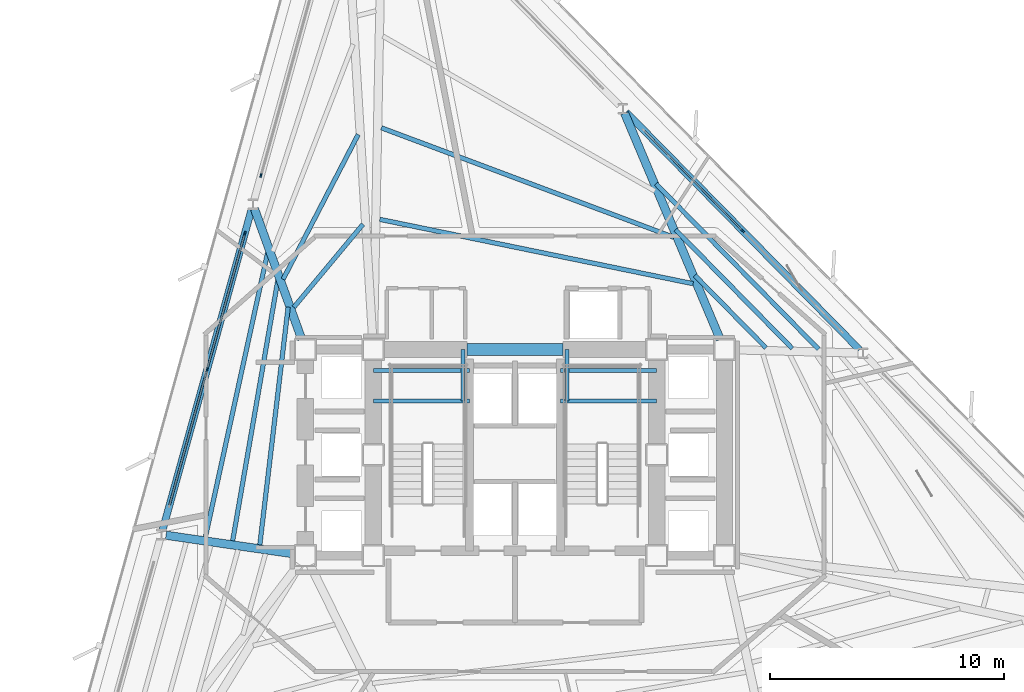
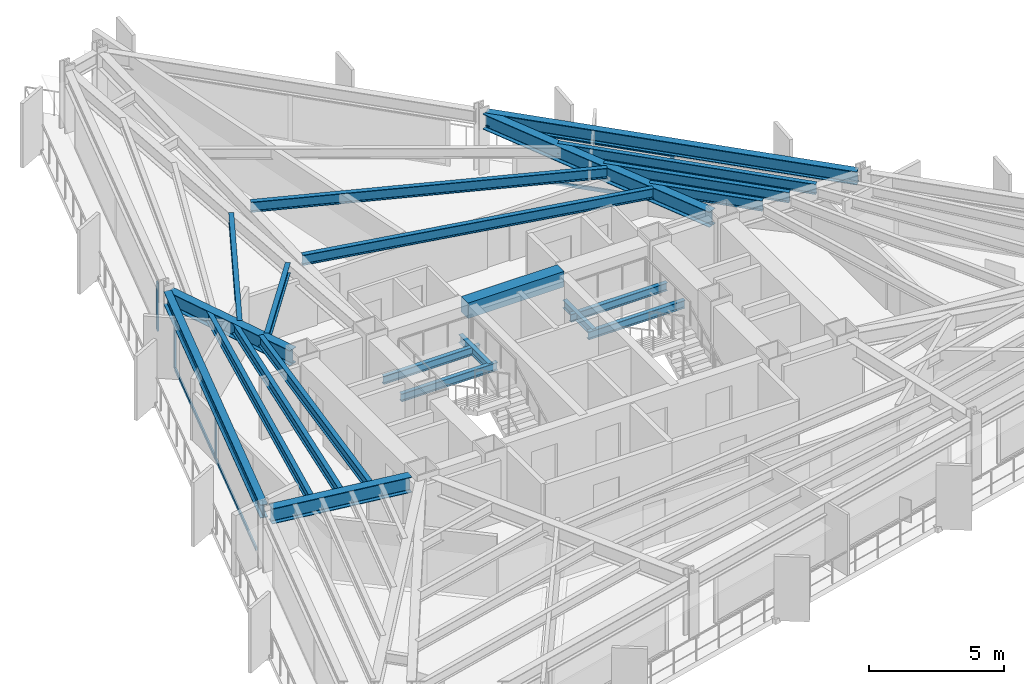
# One storey, part 3 of 11: 22 beams, 10 members, 3 elements without a shape of their own.
"""IFC4 building model written with IfcOpenShell, lengths in metres."""

from ifc_helpers import new_model, si_unit, direction, frame, origin, origin_2d, place, context, subcontext, project, spatial, rectangle, i_section, extrude, material, layer, layer_set, material_profile, profile_set, type_object, element, aggregate, save


model = new_model("IFC4")

# Units and contexts
model_context = context("Model", 3, precision=1e-05, world=origin(), true_north=direction((0.0, 1.0)))
body_context = subcontext(model_context, "Body", "Model", "MODEL_VIEW")
ifc_project = project(units=[si_unit("LENGTHUNIT", "METRE"), si_unit("AREAUNIT", "SQUARE_METRE"), si_unit("VOLUMEUNIT", "CUBIC_METRE"), si_unit("PLANEANGLEUNIT", "RADIAN"), si_unit("MASSUNIT", "GRAM", prefix="KILO")], contexts=[model_context])

# Site, building, storey
site_placement = place(None, origin())
site = spatial("IfcSite", under=ifc_project, at=site_placement, CompositionType="ELEMENT")
building_placement = place(site_placement, origin())
building = spatial("IfcBuilding", under=site, at=building_placement, Name="Rocaltana Carrier Exchange", CompositionType="ELEMENT")
storey_placement = place(building_placement, frame((0.0, 0.0, 79.52001953125)))
storey = spatial("IfcBuildingStorey", under=building, at=storey_placement, Name="L24", CompositionType="ELEMENT", Elevation=79.52001953125)

# Curtain wall, member
ifc_material_1 = material(Name="Aluminium 6063-T6", Category="aluminium")
ifc_layer = layer(ifc_material_1, 0.1650390625)
ifc_layer_set = layer_set([ifc_layer], Name="Aluminium 6063-T6")
curtain_wall_type = type_object("IfcCurtainWallType", Name="Lower-Mid Stepped Curtain Wall CW-02", PredefinedType="NOTDEFINED", material=ifc_layer_set)
curtain_wall_1_placement = place(storey_placement, origin())
curtain_wall_1 = element("IfcCurtainWall", 1, at=curtain_wall_1_placement, inside=storey, type_object=curtain_wall_type, Name="L24 CW-02 Run CW-L24-F1S2", PredefinedType="NOTDEFINED")
ifc_material_2 = material(Name="Aluminium 6063-T6", Category="aluminium")
ifc_material_profile_1 = material_profile(ifc_material_2, rectangle(XDim=0.06494140625, YDim=0.1650390625, at=origin_2d()), Name="AL-65X165")
ifc_profile_set_1 = profile_set([ifc_material_profile_1], Name="Aluminium 6063-T6")
member_type_1 = type_object("IfcMemberType", Name="CW-02 Mullion AL-65X165", PredefinedType="MULLION", material=ifc_profile_set_1)
member_1_placement = place(storey_placement, frame((9.732666015625, 9.564453125, 0.0), z_axis=(0.0, 0.0, 1.0), x_axis=(-0.713244696676, -0.700915118017, 0.0)))
member_1 = element("IfcMember", 2, at=member_1_placement, type_object=member_type_1, Name="CW-02 mullion 2", PredefinedType="MULLION", context=body_context, shape_type="SweptSolid", body=[
    extrude(rectangle(XDim=0.06494140625, YDim=0.1650390625, at=origin_2d()), origin(), (0.0, 0.0, 1.0), 2.16796875),
])

curtain_wall_2_placement = place(storey_placement, origin())
curtain_wall_2 = element("IfcCurtainWall", 3, at=curtain_wall_2_placement, inside=storey, type_object=curtain_wall_type, Name="L24 CW-02 Run CW-L24-F2S1", PredefinedType="NOTDEFINED")
member_2_placement = place(storey_placement, frame((-10.851318359375, 11.93310546875, 0.0), z_axis=(0.0, 0.0, 1.0), x_axis=(0.96362846453, -0.267245546918, 0.0)))
member_2 = element("IfcMember", 4, at=member_2_placement, type_object=member_type_1, Name="CW-02 mullion 3", PredefinedType="MULLION", context=body_context, shape_type="SweptSolid", body=[
    extrude(rectangle(XDim=0.06494140625, YDim=0.1650390625, at=origin_2d()), origin(), (0.0, 0.0, 1.0), 2.16796875),
])
aggregate(curtain_wall_2, [member_2])

# Curtain wall, members
curtain_wall_3_placement = place(storey_placement, origin())
curtain_wall_3 = element("IfcCurtainWall", 5, at=curtain_wall_3_placement, inside=storey, type_object=curtain_wall_type, Name="L24 CW-02 Run CW-L24-F2S2", PredefinedType="NOTDEFINED")
member_3_placement = place(storey_placement, frame((-11.536865234375, 9.46142578125, 0.0), z_axis=(0.0, 0.0, 1.0), x_axis=(0.963630586954, -0.267237893807, 0.0)))
member_3 = element("IfcMember", 6, at=member_3_placement, type_object=member_type_1, Name="CW-02 mullion 1", PredefinedType="MULLION", context=body_context, shape_type="SweptSolid", body=[
    extrude(rectangle(XDim=0.06494140625, YDim=0.1650390625, at=origin_2d()), origin(), (0.0, 0.0, 1.0), 2.16796875),
])
member_4_placement = place(storey_placement, frame((-13.1494140625, 3.646728515625, 0.0), z_axis=(0.0, 0.0, 1.0), x_axis=(0.963630586954, -0.267237893807, 0.0)))
member_4 = element("IfcMember", 7, at=member_4_placement, type_object=member_type_1, Name="CW-02 mullion 2", PredefinedType="MULLION", context=body_context, shape_type="SweptSolid", body=[
    extrude(rectangle(XDim=0.06494140625, YDim=0.1650390625, at=origin_2d()), origin(), (0.0, 0.0, 1.0), 2.16796875),
])

# Member
ifc_material_3 = material(Name="Aluminium 6063-T6", Category="aluminium")
ifc_material_profile_2 = material_profile(ifc_material_3, rectangle(XDim=0.06494140625, YDim=0.1650390625, at=origin_2d()), Name="AL-65X165")
ifc_profile_set_2 = profile_set([ifc_material_profile_2], Name="Aluminium 6063-T6")
member_type_2 = type_object("IfcMemberType", Name="CW-02 Transom AL-65X165", PredefinedType="USERDEFINED", material=ifc_profile_set_2)
member_5_placement = place(storey_placement, frame((9.7099609375, 9.587646484375, 0.032470703125), z_axis=(-0.700924352217, 0.713235621985, 0.0), x_axis=(-0.713235621985, -0.700924352217, 0.0)))
member_5 = element("IfcMember", 8, at=member_5_placement, type_object=member_type_2, Name="CW-02 transom 2.1", ObjectType="TRANSOM", PredefinedType="USERDEFINED", context=body_context, shape_type="SweptSolid", body=[
    extrude(rectangle(XDim=0.06494140625, YDim=0.1650390625, at=origin_2d()), origin(), (0.0, 0.0, 1.0), 5.968994140625),
])

member_6_placement = place(storey_placement, frame((9.7099609375, 9.587646484375, 2.135498046875), z_axis=(-0.700924352217, 0.713235621985, 0.0), x_axis=(-0.713235621985, -0.700924352217, 0.0)))
member_6 = element("IfcMember", 9, at=member_6_placement, type_object=member_type_2, Name="CW-02 transom 2.2", ObjectType="TRANSOM", PredefinedType="USERDEFINED", context=body_context, shape_type="SweptSolid", body=[
    extrude(rectangle(XDim=0.06494140625, YDim=0.1650390625, at=origin_2d()), origin(), (0.0, 0.0, 1.0), 5.968994140625),
])

aggregate(curtain_wall_1, [member_1, member_5, member_6])

member_7_placement = place(storey_placement, frame((-11.54541015625, 9.43017578125, 0.032470703125), z_axis=(-0.267236720875, -0.963630912235, 0.0), x_axis=(0.963630912235, -0.267236720875, 0.0)))
member_7 = element("IfcMember", 10, at=member_7_placement, type_object=member_type_2, Name="CW-02 transom 1.1", ObjectType="TRANSOM", PredefinedType="USERDEFINED", context=body_context, shape_type="SweptSolid", body=[
    extrude(rectangle(XDim=0.06494140625, YDim=0.1650390625, at=origin_2d()), origin(), (0.0, 0.0, 1.0), 5.96923828125),
])

member_8_placement = place(storey_placement, frame((-11.54541015625, 9.43017578125, 2.135498046875), z_axis=(-0.267236720875, -0.963630912235, 0.0), x_axis=(0.963630912235, -0.267236720875, 0.0)))
member_8 = element("IfcMember", 11, at=member_8_placement, type_object=member_type_2, Name="CW-02 transom 1.2", ObjectType="TRANSOM", PredefinedType="USERDEFINED", context=body_context, shape_type="SweptSolid", body=[
    extrude(rectangle(XDim=0.06494140625, YDim=0.1650390625, at=origin_2d()), origin(), (0.0, 0.0, 1.0), 5.96923828125),
])

member_9_placement = place(storey_placement, frame((-13.157958984375, 3.615234375, 0.032470703125), z_axis=(-0.26724725359, -0.963627991213, 0.0), x_axis=(0.963627991213, -0.26724725359, 0.0)))
member_9 = element("IfcMember", 12, at=member_9_placement, type_object=member_type_2, Name="CW-02 transom 2.1", ObjectType="TRANSOM", PredefinedType="USERDEFINED", context=body_context, shape_type="SweptSolid", body=[
    extrude(rectangle(XDim=0.06494140625, YDim=0.1650390625, at=origin_2d()), origin(), (0.0, 0.0, 1.0), 5.968994140625),
])

member_10_placement = place(storey_placement, frame((-13.157958984375, 3.615234375, 2.135498046875), z_axis=(-0.26724725359, -0.963627991213, 0.0), x_axis=(0.963627991213, -0.26724725359, 0.0)))
member_10 = element("IfcMember", 13, at=member_10_placement, type_object=member_type_2, Name="CW-02 transom 2.2", ObjectType="TRANSOM", PredefinedType="USERDEFINED", context=body_context, shape_type="SweptSolid", body=[
    extrude(rectangle(XDim=0.06494140625, YDim=0.1650390625, at=origin_2d()), origin(), (0.0, 0.0, 1.0), 5.968994140625),
])

aggregate(curtain_wall_3, [member_3, member_4, member_7, member_8, member_9, member_10])

# Beams
ifc_material_4 = material(Name="Concrete C60/75", Category="concrete")
ifc_material_profile_3 = material_profile(ifc_material_4, rectangle(XDim=0.5, YDim=0.699951171875, at=origin_2d()), Name="RC-BM-500X700")
ifc_profile_set_3 = profile_set([ifc_material_profile_3], Name="Concrete C60/75")
beam_type_1 = type_object("IfcBeamType", Name="Core Coupling Lintel 500x700", PredefinedType="LINTEL", material=ifc_profile_set_3)
beam_1_placement = place(storey_placement, frame((-2.050048828125, 4.5, 2.43798828125), z_axis=(1.0, 0.0, 0.0), x_axis=(0.0, 1.0, 0.0)))
element("IfcBeam", 14, at=beam_1_placement, inside=storey, type_object=beam_type_1, Name="L24 Core Coupling Lintel CL-N", PredefinedType="LINTEL", context=body_context, shape_type="SweptSolid", body=[
    extrude(rectangle(XDim=0.5, YDim=0.699951171875, at=origin_2d()), origin(), (0.0, 0.0, 1.0), 4.10009765625),
])
ifc_material_5 = material(Name="Steel S355", Category="steel")
ifc_material_profile_4 = material_profile(ifc_material_5, i_section(OverallWidth=0.172119140625, OverallDepth=0.35791015625, WebThickness=0.0078125, FlangeThickness=0.01318359375, FilletRadius=0.011962890625, at=origin_2d()), Name="W14X38")
ifc_profile_set_4 = profile_set([ifc_material_profile_4], Name="Steel S355")
beam_type_2 = type_object("IfcBeamType", Name="Floor Joist W14X38", PredefinedType="JOIST", material=ifc_profile_set_4)
for number, where, z_axis, x_axis, name in (
    (15, (-6.050048828125, 2.300048828125, 1.140869140625), (1.0, 0.0, 0.0), (0.0, 1.0, 0.0), "L24 ST-1 Landing Carrier 1"),
    (16, (1.93994140625, 2.300048828125, 1.140869140625), (1.0, 0.0, 0.0), (0.0, 1.0, 0.0), "L24 ST-2 Landing Carrier 1"),
    (17, (-6.050048828125, 3.60009765625, 1.140869140625), (1.0, 0.0, 0.0), (0.0, 1.0, 0.0), "L24 ST-1 Landing Carrier 2"),
    (18, (1.93994140625, 3.60009765625, 1.140869140625), (1.0, 0.0, 0.0), (0.0, 1.0, 0.0), "L24 ST-2 Landing Carrier 2"),
):
    element("IfcBeam", number, at=place(storey_placement, frame(where, z_axis=z_axis, x_axis=x_axis)), inside=storey, type_object=beam_type_2, Name=name, PredefinedType="JOIST", context=body_context, shape_type="SweptSolid", body=[
        extrude(i_section(OverallWidth=0.172119140625, OverallDepth=0.35791015625, WebThickness=0.0078125, FlangeThickness=0.01318359375, FilletRadius=0.011962890625, at=origin_2d()), origin(), (0.0, 0.0, 1.0), 4.110107421875),
    ])
for number, where, z_axis, x_axis, name in (
    (19, (-2.219970703125, 2.300048828125, 1.140869140625), (0.0, 1.0, 0.0), (-1.0, 0.0, 0.0), "L24 ST-1 Landing Cross Trimmer"),
    (20, (2.219970703125, 2.300048828125, 1.140869140625), (0.0, 1.0, 0.0), (-1.0, 0.0, 0.0), "L24 ST-2 Landing Cross Trimmer"),
):
    element("IfcBeam", number, at=place(storey_placement, frame(where, z_axis=z_axis, x_axis=x_axis)), inside=storey, type_object=beam_type_2, Name=name, PredefinedType="JOIST", context=body_context, shape_type="SweptSolid", body=[
        extrude(i_section(OverallWidth=0.172119140625, OverallDepth=0.35791015625, WebThickness=0.0078125, FlangeThickness=0.01318359375, FilletRadius=0.011962890625, at=origin_2d()), origin(), (0.0, 0.0, 1.0), 2.199951171875),
    ])
ifc_material_6 = material(Name="Steel S355", Category="steel")
ifc_material_profile_5 = material_profile(ifc_material_6, i_section(OverallWidth=0.193115234375, OverallDepth=0.466064453125, WebThickness=0.011474609375, FlangeThickness=0.01904296875, FilletRadius=0.013916015625, at=origin_2d()), Name="W18X65")
ifc_profile_set_5 = profile_set([ifc_material_profile_5], Name="Steel S355")
beam_type_3 = type_object("IfcBeamType", Name="Floor Joist W18X65", PredefinedType="JOIST", material=ifc_profile_set_5)
beam_2_placement = place(storey_placement, frame((10.72119140625, 4.572998046875, 2.554931640625), z_axis=(-0.700891063864, 0.713268334216, 0.0), x_axis=(-0.713268334216, -0.700891063864, 0.0)))
element("IfcBeam", 21, at=beam_2_placement, inside=storey, type_object=beam_type_3, Name="FJ-L24-02-1", PredefinedType="JOIST", context=body_context, shape_type="SweptSolid", body=[
    extrude(i_section(OverallWidth=0.193115234375, OverallDepth=0.466064453125, WebThickness=0.011474609375, FlangeThickness=0.01904296875, FilletRadius=0.013916015625, at=origin_2d()), origin(), (0.0, 0.0, 1.0), 4.339599609375),
])
beam_3_placement = place(storey_placement, frame((11.844482421875, 4.543701171875, 2.554931640625), z_axis=(-0.700907768136, 0.713251919427, 0.0), x_axis=(-0.713251919427, -0.700907768136, 0.0)))
element("IfcBeam", 22, at=beam_3_placement, inside=storey, type_object=beam_type_3, Name="FJ-L24-02-2", PredefinedType="JOIST", context=body_context, shape_type="SweptSolid", body=[
    extrude(i_section(OverallWidth=0.193115234375, OverallDepth=0.466064453125, WebThickness=0.011474609375, FlangeThickness=0.01904296875, FilletRadius=0.013916015625, at=origin_2d()), origin(), (0.0, 0.0, 1.0), 7.1201171875),
])
beam_4_placement = place(storey_placement, frame((12.967529296875, 4.514404296875, 2.554931640625), z_axis=(-0.700914872746, 0.713244937706, 0.0), x_axis=(-0.713244937706, -0.700914872746, 0.0)))
element("IfcBeam", 23, at=beam_4_placement, inside=storey, type_object=beam_type_3, Name="FJ-L24-02-3", PredefinedType="JOIST", context=body_context, shape_type="SweptSolid", body=[
    extrude(i_section(OverallWidth=0.193115234375, OverallDepth=0.466064453125, WebThickness=0.011474609375, FlangeThickness=0.01904296875, FilletRadius=0.013916015625, at=origin_2d()), origin(), (0.0, 0.0, 1.0), 9.900146484375),
])
beam_5_placement = place(storey_placement, frame((7.608642578125, 7.310791015625, 2.554931640625), z_axis=(-0.979548911699, 0.201206186758, 0.0), x_axis=(-0.201206186758, -0.979548911699, 0.0)))
element("IfcBeam", 24, at=beam_5_placement, inside=storey, type_object=beam_type_3, Name="FJ-L24-03-1", PredefinedType="JOIST", context=body_context, shape_type="SweptSolid", body=[
    extrude(i_section(OverallWidth=0.193115234375, OverallDepth=0.466064453125, WebThickness=0.011474609375, FlangeThickness=0.01904296875, FilletRadius=0.013916015625, at=origin_2d()), origin(), (0.0, 0.0, 1.0), 13.66259765625),
])
beam_6_placement = place(storey_placement, frame((6.790283203125, 9.290283203125, 2.554931640625), z_axis=(-0.936459936045, 0.35077455464, 0.0), x_axis=(-0.35077455464, -0.936459936045, 0.0)))
element("IfcBeam", 25, at=beam_6_placement, inside=storey, type_object=beam_type_3, Name="FJ-L24-03-2", PredefinedType="JOIST", context=body_context, shape_type="SweptSolid", body=[
    extrude(i_section(OverallWidth=0.193115234375, OverallDepth=0.466064453125, WebThickness=0.011474609375, FlangeThickness=0.01904296875, FilletRadius=0.013916015625, at=origin_2d()), origin(), (0.0, 0.0, 1.0), 13.344482421875),
])
beam_7_placement = place(storey_placement, frame((-6.492919921875, 9.848876953125, 2.554931640625), z_axis=(-0.640163577039, -0.768238631307, 0.0), x_axis=(0.768238631307, -0.640163577039, 0.0)))
element("IfcBeam", 26, at=beam_7_placement, inside=storey, type_object=beam_type_3, Name="FJ-L24-05-1", PredefinedType="JOIST", context=body_context, shape_type="SweptSolid", body=[
    extrude(i_section(OverallWidth=0.193115234375, OverallDepth=0.466064453125, WebThickness=0.011474609375, FlangeThickness=0.01904296875, FilletRadius=0.013916015625, at=origin_2d()), origin(), (0.0, 0.0, 1.0), 4.613037109375),
])
beam_8_placement = place(storey_placement, frame((-6.6962890625, 13.68505859375, 2.554931640625), z_axis=(-0.46048496637, -0.887667502924, 0.0), x_axis=(0.887667502924, -0.46048496637, 0.0)))
element("IfcBeam", 27, at=beam_8_placement, inside=storey, type_object=beam_type_3, Name="FJ-L24-05-2", PredefinedType="JOIST", context=body_context, shape_type="SweptSolid", body=[
    extrude(i_section(OverallWidth=0.193115234375, OverallDepth=0.466064453125, WebThickness=0.011474609375, FlangeThickness=0.01904296875, FilletRadius=0.013916015625, at=origin_2d()), origin(), (0.0, 0.0, 1.0), 6.96435546875),
])
beam_9_placement = place(storey_placement, frame((-9.6884765625, 6.312744140625, 2.554931640625), z_axis=(-0.118374284941, -0.992969047184, 0.0), x_axis=(0.992969047184, -0.118374284941, 0.0)))
element("IfcBeam", 28, at=beam_9_placement, inside=storey, type_object=beam_type_3, Name="FJ-L24-06-1", PredefinedType="JOIST", context=body_context, shape_type="SweptSolid", body=[
    extrude(i_section(OverallWidth=0.193115234375, OverallDepth=0.466064453125, WebThickness=0.011474609375, FlangeThickness=0.01904296875, FilletRadius=0.013916015625, at=origin_2d()), origin(), (0.0, 0.0, 1.0), 10.227783203125),
])
beam_10_placement = place(storey_placement, frame((-10.123779296875, 7.49169921875, 2.554931640625), z_axis=(-0.170820187973, -0.985302219312, 0.0), x_axis=(0.985302219312, -0.170820187973, 0.0)))
element("IfcBeam", 29, at=beam_10_placement, inside=storey, type_object=beam_type_3, Name="FJ-L24-06-2", PredefinedType="JOIST", context=body_context, shape_type="SweptSolid", body=[
    extrude(i_section(OverallWidth=0.193115234375, OverallDepth=0.466064453125, WebThickness=0.011474609375, FlangeThickness=0.01904296875, FilletRadius=0.013916015625, at=origin_2d()), origin(), (0.0, 0.0, 1.0), 11.332275390625),
])
beam_11_placement = place(storey_placement, frame((-10.5576171875, 8.67041015625, 2.554931640625), z_axis=(-0.213747702255, -0.976888898381, 0.0), x_axis=(0.976888898381, -0.213747702255, 0.0)))
element("IfcBeam", 30, at=beam_11_placement, inside=storey, type_object=beam_type_3, Name="FJ-L24-06-3", PredefinedType="JOIST", context=body_context, shape_type="SweptSolid", body=[
    extrude(i_section(OverallWidth=0.193115234375, OverallDepth=0.466064453125, WebThickness=0.011474609375, FlangeThickness=0.01904296875, FilletRadius=0.013916015625, at=origin_2d()), origin(), (0.0, 0.0, 1.0), 12.463623046875),
])
ifc_material_7 = material(Name="Steel S355", Category="steel")
ifc_material_profile_6 = material_profile(ifc_material_7, i_section(OverallWidth=0.35498046875, OverallDepth=0.695068359375, WebThickness=0.015380859375, FlangeThickness=0.02490234375, FilletRadius=0.01806640625, at=origin_2d()), Name="W27X146")
ifc_profile_set_6 = profile_set([ifc_material_profile_6], Name="Steel S355")
beam_type_4 = type_object("IfcBeamType", Name="Radial Girder W27X146", PredefinedType="BEAM", material=ifc_profile_set_6)
beam_12_placement = place(storey_placement, frame((8.768310546875, 4.93017578125, 2.4404296875), z_axis=(-0.389276478426, 0.921120960213, 0.0), x_axis=(-0.921120960213, -0.389276478426, 0.0)))
element("IfcBeam", 31, at=beam_12_placement, inside=storey, type_object=beam_type_4, Name="RG-L24-03", PredefinedType="BEAM", context=body_context, shape_type="SweptSolid", body=[
    extrude(i_section(OverallWidth=0.35498046875, OverallDepth=0.695068359375, WebThickness=0.015380859375, FlangeThickness=0.02490234375, FilletRadius=0.01806640625, at=origin_2d()), origin(), (0.0, 0.0, 1.0), 10.49560546875),
])
beam_13_placement = place(storey_placement, frame((-9.10888671875, 4.939208984375, 2.4404296875), z_axis=(-0.340508311046, 0.940241506268, 0.0), x_axis=(-0.940241506268, -0.340508311046, 0.0)))
element("IfcBeam", 32, at=beam_13_placement, inside=storey, type_object=beam_type_4, Name="RG-L24-06", PredefinedType="BEAM", context=body_context, shape_type="SweptSolid", body=[
    extrude(i_section(OverallWidth=0.35498046875, OverallDepth=0.695068359375, WebThickness=0.015380859375, FlangeThickness=0.02490234375, FilletRadius=0.01806640625, at=origin_2d()), origin(), (0.0, 0.0, 1.0), 5.923095703125),
])
beam_14_placement = place(storey_placement, frame((-9.412109375, -4.232666015625, 2.4404296875), z_axis=(-0.989567752524, 0.1440682587, 0.0), x_axis=(-0.1440682587, -0.989567752524, 0.0)))
element("IfcBeam", 33, at=beam_14_placement, inside=storey, type_object=beam_type_4, Name="RG-L24-07", PredefinedType="BEAM", context=body_context, shape_type="SweptSolid", body=[
    extrude(i_section(OverallWidth=0.35498046875, OverallDepth=0.695068359375, WebThickness=0.015380859375, FlangeThickness=0.02490234375, FilletRadius=0.01806640625, at=origin_2d()), origin(), (0.0, 0.0, 1.0), 5.551513671875),
])
ifc_material_8 = material(Name="Steel S355", Category="steel")
ifc_material_profile_7 = material_profile(ifc_material_8, i_section(OverallWidth=0.300048828125, OverallDepth=0.60009765625, WebThickness=0.015380859375, FlangeThickness=0.030029296875, FilletRadius=0.027099609375, at=origin_2d()), Name="HEB600")
ifc_profile_set_7 = profile_set([ifc_material_profile_7], Name="Steel S355")
beam_type_5 = type_object("IfcBeamType", Name="Spandrel Edge Beam HEB600", PredefinedType="SPANDREL", material=ifc_profile_set_7)
beam_15_placement = place(storey_placement, frame((14.72021484375, 4.489013671875, 2.488037109375), z_axis=(-0.700903992089, 0.713255630103, 0.0), x_axis=(-0.713255630103, -0.700903992089, 0.0)))
element("IfcBeam", 34, at=beam_15_placement, inside=storey, type_object=beam_type_5, Name="SP-L24-02", PredefinedType="SPANDREL", context=body_context, shape_type="SweptSolid", body=[
    extrude(i_section(OverallWidth=0.300048828125, OverallDepth=0.60009765625, WebThickness=0.015380859375, FlangeThickness=0.030029296875, FilletRadius=0.027099609375, at=origin_2d()), origin(), (0.0, 0.0, 1.0), 14.2314453125),
])
beam_16_placement = place(storey_placement, frame((-11.247802734375, 10.50341796875, 2.488037109375), z_axis=(-0.267228866317, -0.963633090448, 0.0), x_axis=(0.963633090448, -0.267228866317, 0.0)))
element("IfcBeam", 35, at=beam_16_placement, inside=storey, type_object=beam_type_5, Name="SP-L24-06", PredefinedType="SPANDREL", context=body_context, shape_type="SweptSolid", body=[
    extrude(i_section(OverallWidth=0.300048828125, OverallDepth=0.60009765625, WebThickness=0.015380859375, FlangeThickness=0.030029296875, FilletRadius=0.027099609375, at=origin_2d()), origin(), (0.0, 0.0, 1.0), 14.231201171875),
])

save(model, "model.ifc")
